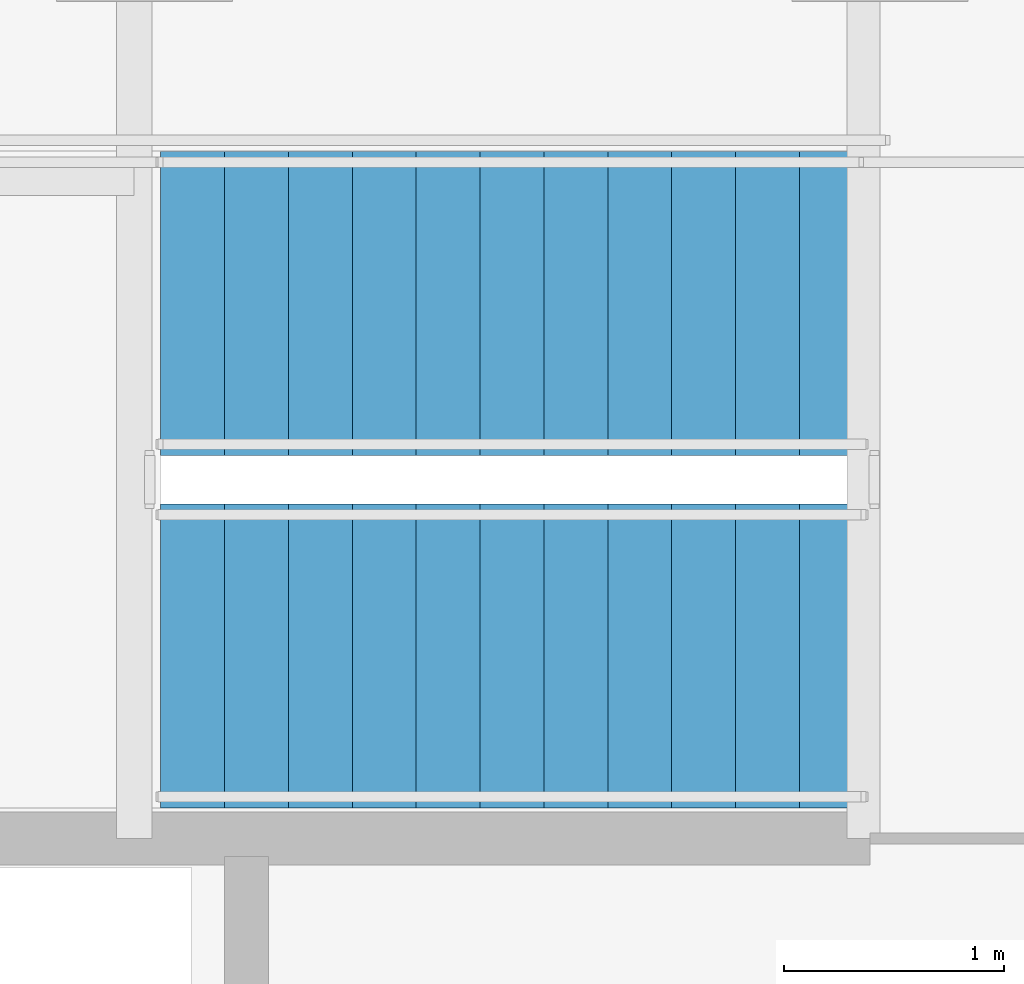
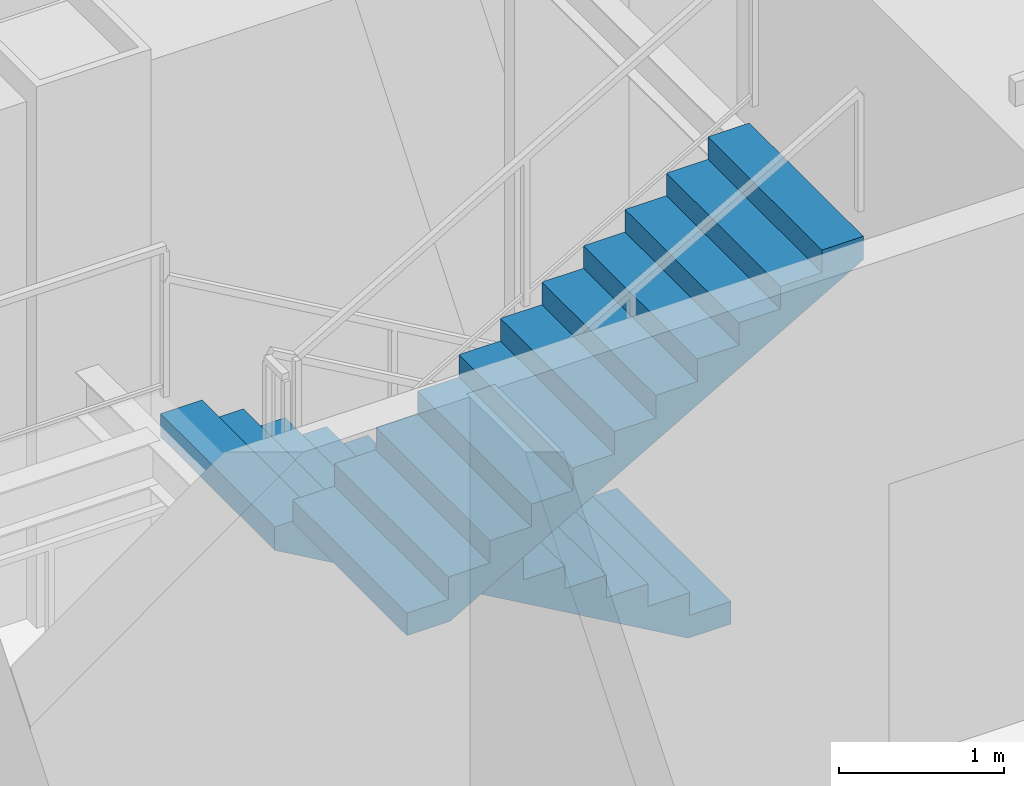
# One storey, part 32 of 35: 2 stair flights, 1 element without a shape of its own.
"""IFC4 building model written with IfcOpenShell, lengths in metres."""

from ifc_helpers import new_model, si_unit, direction, frame, origin, place, context, subcontext, project, spatial, polyline, outline, extrude, material, type_object, element, aggregate, save


model = new_model("IFC4")

# Units and contexts
model_context = context("Model", 3, precision=1e-05, world=origin(), true_north=direction((0.0, 1.0)))
body_context = subcontext(model_context, "Body", "Model", "MODEL_VIEW")
ifc_project = project(units=[si_unit("LENGTHUNIT", "METRE"), si_unit("AREAUNIT", "SQUARE_METRE"), si_unit("VOLUMEUNIT", "CUBIC_METRE"), si_unit("PLANEANGLEUNIT", "RADIAN"), si_unit("MASSUNIT", "GRAM", prefix="KILO")], contexts=[model_context])

# Site, building, storey
site_placement = place(None, origin())
site = spatial("IfcSite", under=ifc_project, at=site_placement, CompositionType="ELEMENT")
building_placement = place(site_placement, origin())
building = spatial("IfcBuilding", under=site, at=building_placement, Name="Khoronbel Lancet Exchange", CompositionType="ELEMENT")
storey_placement = place(building_placement, frame((0.0, 0.0, 25.800048828125)))
storey = spatial("IfcBuildingStorey", under=building, at=storey_placement, Name="L05", CompositionType="ELEMENT", Elevation=25.800048828125)

# Stair, stair flights
ifc_material = material(Name="Concrete C40/50", Category="concrete")
stair_type = type_object("IfcStairType", Name="STR-CORE150", PredefinedType="HALF_TURN_STAIR", material=ifc_material)
stair_placement = place(storey_placement, origin())
stair = element("IfcStair", 1, at=stair_placement, inside=storey, type_object=stair_type, Name="L05 Protected Exit Stair ST2", PredefinedType="HALF_TURN_STAIR")
stair_flight_type = type_object("IfcStairFlightType", Name="STF-150", PredefinedType="STRAIGHT", material=ifc_material)
stair_flight_1_placement = place(storey_placement, frame((54.60009765625, 51.409912109375, 0.0), z_axis=(0.0, 0.0, 1.0), x_axis=(-1.0, 0.0, 0.0)))
stair_flight_1 = element("IfcStairFlight", 2, at=stair_flight_1_placement, type_object=stair_flight_type, Name="ST2 flight 1", NumberOfRisers=12, NumberOfTreads=11, PredefinedType="STRAIGHT", RiserHeight=0.166666667, TreadLength=0.29, context=body_context, shape_type="SweptSolid", body=[
    extrude(outline(polyline([(0.0, 0.0), (0.0, 0.166748046875), (0.2900390625, 0.166748046875), (0.2900390625, 0.333251953125), (0.580078125, 0.333251953125), (0.580078125, 0.5), (0.8701171875, 0.5), (0.8701171875, 0.666748046875), (1.159912109375, 0.666748046875), (1.159912109375, 0.833251953125), (1.449951171875, 0.833251953125), (1.449951171875, 1.0), (1.739990234375, 1.0), (1.739990234375, 1.166748046875), (2.030029296875, 1.166748046875), (2.030029296875, 1.333251953125), (2.320068359375, 1.333251953125), (2.320068359375, 1.5), (2.610107421875, 1.5), (2.610107421875, 1.666748046875), (2.89990234375, 1.666748046875), (2.89990234375, 1.833251953125), (3.18994140625, 1.833251953125), (3.18994140625, 2.0), (3.18994140625, 1.660400390625), (0.30078125, 0.0), (0.0, 0.0)])), frame((0.0, 0.68994140625, 0.0), z_axis=(0.0, -1.0, 0.0), x_axis=(1.0, 0.0, 0.0)), (0.0, 0.0, 1.0), 1.3798828125),
])
stair_flight_2_placement = place(storey_placement, frame((51.409912109375, 49.81005859375, 2.0), z_axis=(0.0, 0.0, 1.0), x_axis=(1.0, 0.0, 0.0)))
stair_flight_2 = element("IfcStairFlight", 3, at=stair_flight_2_placement, type_object=stair_flight_type, Name="ST2 flight 2", NumberOfRisers=12, NumberOfTreads=11, PredefinedType="STRAIGHT", RiserHeight=0.166666667, TreadLength=0.29, context=body_context, shape_type="SweptSolid", body=[
    extrude(outline(polyline([(0.0, 0.0), (0.0, 0.166748046875), (0.2900390625, 0.166748046875), (0.2900390625, 0.333251953125), (0.580078125, 0.333251953125), (0.580078125, 0.5), (0.8701171875, 0.5), (0.8701171875, 0.666748046875), (1.159912109375, 0.666748046875), (1.159912109375, 0.833251953125), (1.449951171875, 0.833251953125), (1.449951171875, 1.0), (1.739990234375, 1.0), (1.739990234375, 1.166748046875), (2.030029296875, 1.166748046875), (2.030029296875, 1.333251953125), (2.320068359375, 1.333251953125), (2.320068359375, 1.5), (2.610107421875, 1.5), (2.610107421875, 1.666748046875), (2.89990234375, 1.666748046875), (2.89990234375, 1.833251953125), (3.18994140625, 1.833251953125), (3.18994140625, 2.0), (3.18994140625, 1.660400390625), (0.30078125, 0.0), (0.0, 0.0)])), frame((0.0, 0.68994140625, 0.0), z_axis=(0.0, -1.0, 0.0), x_axis=(1.0, 0.0, 0.0)), (0.0, 0.0, 1.0), 1.3798828125),
])
aggregate(stair, [stair_flight_1, stair_flight_2])

save(model, "model.ifc")
